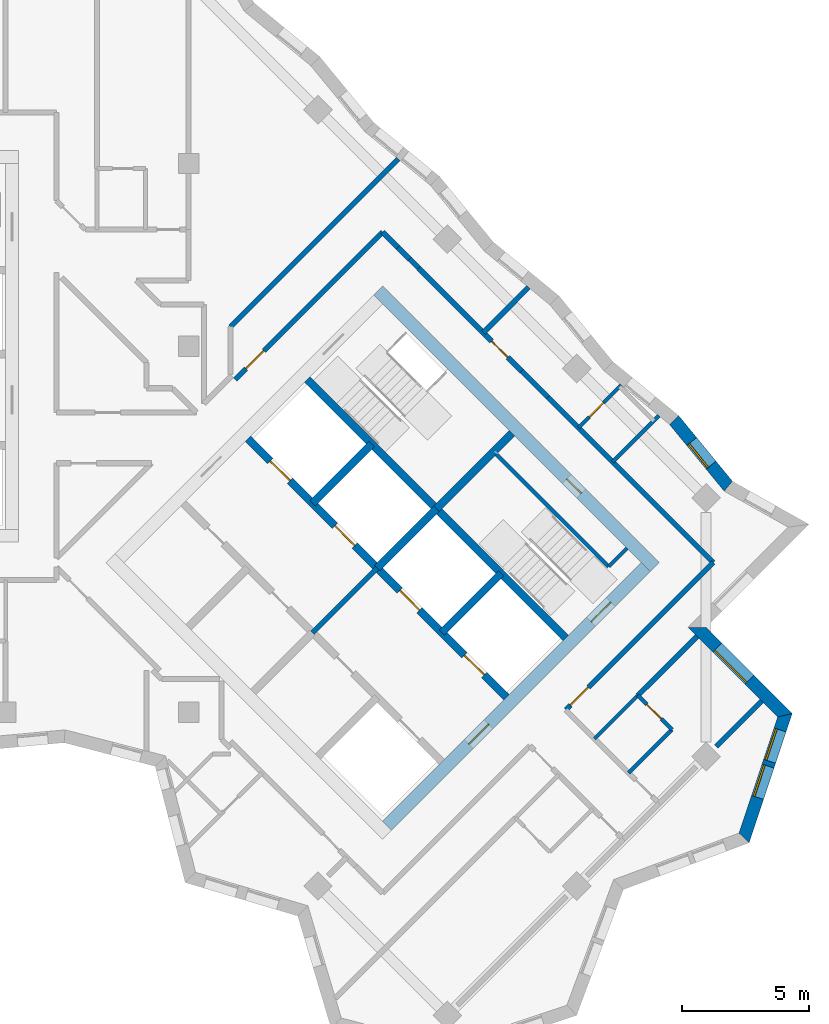
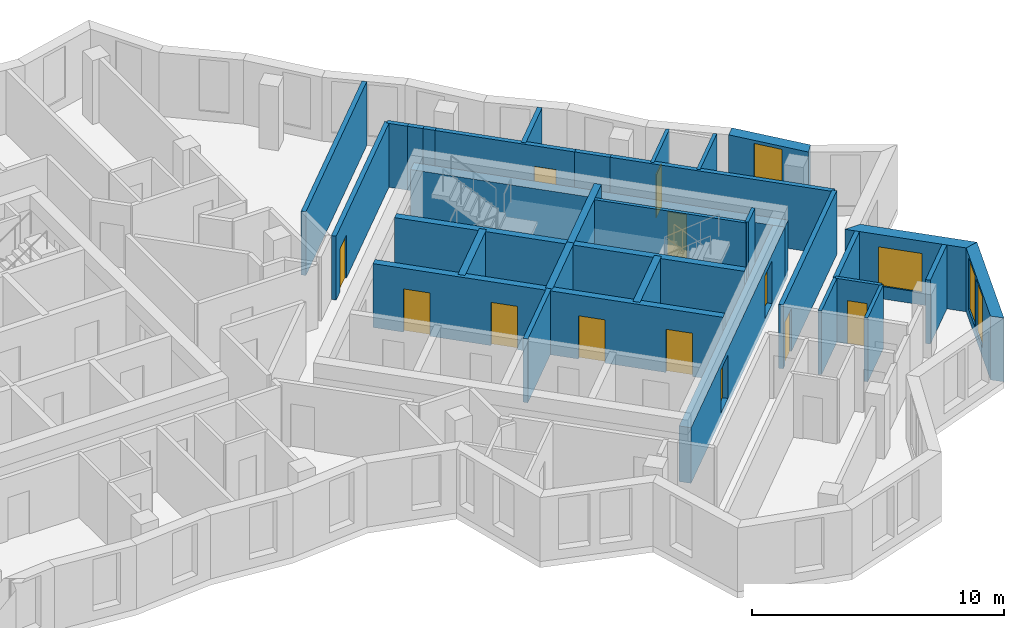
# One storey, part 8 of 11: 32 walls, 12 doors, 4 windows, 16 openings.
"""IFC4 building model written with IfcOpenShell, lengths in metres."""

import ifcopenshell
import ifcopenshell.guid

model = None  # the IFC model being written
_history = None  # IfcOwnerHistory: only IFC2X3 demands one
_inside = {}  # id of a spatial element -> (the spatial element, [elements in it])
_under = {}  # id of a project, library or spatial element -> (it, [spatial elements below it])
_declared = {}  # id of a project -> (the project, [libraries it declares])
_typed = {}  # id of a type object -> (the type object, [elements of that type])
_made_of = {}  # id of a material, layer set ... -> (it, [elements and type objects made of it])


def new_model(schema):
    """Start an empty IFC model of exactly this schema.

    Asked for "IFC4X3", IfcOpenShell would pick the latest addendum, in which some entities
    have other attributes; the version numbers below select the first issue.
    IFC2X3 requires an IfcOwnerHistory on every rooted entity: one is made here for all.
    """
    global model, _history
    if schema == "IFC4X3":
        model = ifcopenshell.file(schema_version=(4, 3, 0, 0))
    else:
        model = ifcopenshell.file(schema=schema)
    _inside.clear()
    _under.clear()
    _declared.clear()
    _typed.clear()
    _made_of.clear()
    _history = None
    if model.schema == "IFC2X3":
        org = make("IfcOrganization", Name="unknown")
        user = make(
            "IfcPersonAndOrganization",
            ThePerson=make("IfcPerson", FamilyName="unknown"),
            TheOrganization=org,
        )
        app = make(
            "IfcApplication",
            ApplicationDeveloper=org,
            Version="unknown",
            ApplicationFullName="unknown",
            ApplicationIdentifier="unknown",
        )
        _history = make(
            "IfcOwnerHistory",
            OwningUser=user,
            OwningApplication=app,
            ChangeAction="ADDED",
            CreationDate=0,
        )
    return model


def make(cls, **values):
    """One entity of the class cls with the attributes given. An attribute that is None is left unset."""
    return model.create_entity(
        cls, **{name: value for name, value in values.items() if value is not None}
    )


def rooted(cls, **values):
    """An entity with a GlobalId (a new one), such as an element, a storey or a relation."""
    return make(cls, GlobalId=ifcopenshell.guid.new(), OwnerHistory=_history, **values)


def si_unit(unit_type, name, prefix=None):
    """IfcSIUnit, for example si_unit("LENGTHUNIT", "METRE", prefix="MILLI")."""
    return make("IfcSIUnit", UnitType=unit_type, Prefix=prefix, Name=name)


def assignment(units):
    """IfcUnitAssignment: the units of a project."""
    return None if units is None else make("IfcUnitAssignment", Units=units)


def point(xyz):
    """IfcCartesianPoint."""
    return None if xyz is None else make("IfcCartesianPoint", Coordinates=xyz)


def direction(xyz):
    """IfcDirection."""
    return None if xyz is None else make("IfcDirection", DirectionRatios=xyz)


def frame(location, z_axis=None, x_axis=None):
    """IfcAxis2Placement3D, a coordinate frame: its origin and axes. An axis left out is left unset."""
    return make(
        "IfcAxis2Placement3D",
        Location=point(location),
        Axis=direction(z_axis),
        RefDirection=direction(x_axis),
    )


def frame_2d(location, x_axis=None):
    """IfcAxis2Placement2D, a coordinate frame in the plane: its origin and x axis."""
    return make(
        "IfcAxis2Placement2D", Location=point(location), RefDirection=direction(x_axis)
    )


def origin():
    """The frame at (0, 0, 0) with its axes left unset."""
    return frame((0.0, 0.0, 0.0))


def place(relative_to, where):
    """IfcLocalPlacement: puts the frame where relative to a parent placement (None: the world)."""
    return make(
        "IfcLocalPlacement", PlacementRelTo=relative_to, RelativePlacement=where
    )


def context(
    kind, dimensions, precision=None, world=None, true_north=None, identifier=None
):
    """IfcGeometricRepresentationContext, for example the 3D "Model" context."""
    return make(
        "IfcGeometricRepresentationContext",
        ContextIdentifier=identifier,
        ContextType=kind,
        CoordinateSpaceDimension=dimensions,
        Precision=precision,
        WorldCoordinateSystem=world,
        TrueNorth=true_north,
    )


def subcontext(parent, identifier, kind, view, scale=None):
    """IfcGeometricRepresentationSubContext, for example "Body" below "Model"."""
    return make(
        "IfcGeometricRepresentationSubContext",
        ContextIdentifier=identifier,
        ContextType=kind,
        ParentContext=parent,
        TargetScale=scale,
        TargetView=view,
    )


def project(units=None, contexts=None):
    """IfcProject with its units and contexts."""
    return rooted(
        "IfcProject",
        Name="project",
        RepresentationContexts=contexts,
        UnitsInContext=assignment(units),
    )


def spatial(cls, under=None, at=None, **own):
    """A site, building, storey or space (cls), placed at a placement, below another one or the project."""
    s = rooted(cls, ObjectPlacement=at, **own)
    if under is not None:
        _under.setdefault(under.id(), (under, []))[1].append(s)
    return s


def polyline(points):
    """IfcPolyline through the points."""
    return make("IfcPolyline", Points=[point(p) for p in points])


def profile(cls, at=None, kind="AREA", **sizes):
    """A parametric profile (cls). Its sizes go by their IFC names, for example OverallWidth=200.0."""
    return make(cls, ProfileType=kind, Position=at, **sizes)


def rectangle(**sizes):
    """IfcRectangleProfileDef."""
    return profile("IfcRectangleProfileDef", **sizes)


def outline(outer, holes=None, kind="AREA"):
    """IfcArbitraryClosedProfileDef: a profile drawn as a closed curve; with holes, ...WithVoids."""
    if holes is None:
        return make("IfcArbitraryClosedProfileDef", ProfileType=kind, OuterCurve=outer)
    return make(
        "IfcArbitraryProfileDefWithVoids",
        ProfileType=kind,
        OuterCurve=outer,
        InnerCurves=holes,
    )


def extrude(swept, where, along, depth):
    """IfcExtrudedAreaSolid: the profile swept, set in the frame where, extruded along a direction by depth."""
    return make(
        "IfcExtrudedAreaSolid",
        SweptArea=swept,
        Position=where,
        ExtrudedDirection=direction(along),
        Depth=depth,
    )


def shape(context_of_items, identifier, shape_type, items):
    """IfcShapeRepresentation: the items that make up one representation, for example the "Body"."""
    return make(
        "IfcShapeRepresentation",
        ContextOfItems=context_of_items,
        RepresentationIdentifier=identifier,
        RepresentationType=shape_type,
        Items=items,
    )


def material(Name=None, Category=None):
    """IfcMaterial."""
    return make("IfcMaterial", Name=Name, Category=Category)


def layer(
    of_material, thickness, ventilated=None, Name=None, Category=None, Priority=None
):
    """IfcMaterialLayer: one layer of a wall or slab, of a material (None: an air gap)."""
    return make(
        "IfcMaterialLayer",
        Material=of_material,
        LayerThickness=thickness,
        IsVentilated=ventilated,
        Name=Name,
        Category=Category,
        Priority=Priority,
    )


def layer_set(layers, Name=None):
    """IfcMaterialLayerSet."""
    return make("IfcMaterialLayerSet", MaterialLayers=layers, LayerSetName=Name)


def made_of(thing, what):
    """Note that an element or type object is made of a material, layer set ...; save() writes the relation."""
    if what is not None:
        _made_of.setdefault(what.id(), (what, []))[1].append(thing)
    return thing


def type_object(cls, material=None, **own):
    """A type object (cls), such as IfcWallType, which elements share."""
    return made_of(rooted(cls, **own), material)


def element(
    cls,
    number,
    at=None,
    inside=None,
    cuts=None,
    type_object=None,
    material=None,
    context=None,
    identifier="Body",
    shape_type=None,
    held_by="IfcProductDefinitionShape",
    body=None,
    shapes=None,
    **own,
):
    """One element of the class cls, such as IfcWall. Its Tag is "e" and its number.

    at: its placement. inside: the storey or other place that contains it. cuts: it is an
    opening in that element (IfcRelVoidsElement). A single representation is given by context,
    identifier, shape_type and body (its items); several are given by shapes. held_by: the class
    of the entity that holds the representations. save() writes the other relations.
    """
    e = rooted(cls, Tag="e%d" % number, ObjectPlacement=at, **own)
    if body is not None:
        shapes = [shape(context, identifier, shape_type, body)]
    if shapes is not None:
        e.Representation = make(held_by, Representations=shapes)
    if inside is not None:
        _inside.setdefault(inside.id(), (inside, []))[1].append(e)
    if cuts is not None:
        rooted(
            "IfcRelVoidsElement", RelatingBuildingElement=cuts, RelatedOpeningElement=e
        )
    if type_object is not None:
        _typed.setdefault(type_object.id(), (type_object, []))[1].append(e)
    return made_of(e, material)


def fill(opening, filler):
    """IfcRelFillsElement: the door or window that sits in an opening."""
    return rooted(
        "IfcRelFillsElement",
        RelatingOpeningElement=opening,
        RelatedBuildingElement=filler,
    )


def aggregate(whole, parts):
    """IfcRelAggregates: a whole, such as a stair, and the parts it consists of."""
    return rooted("IfcRelAggregates", RelatingObject=whole, RelatedObjects=parts)


def save(model, path):
    """Write the relations noted so far, then the file.

    IfcRelAggregates (storeys below a building ...), IfcRelContainedInSpatialStructure (elements
    in a storey), IfcRelDefinesByType, IfcRelAssociatesMaterial and IfcRelDeclares: one each for
    every whole, place, type object, material and project.
    """
    for whole, parts in _under.values():
        aggregate(whole, parts)
    for where, things in _inside.values():
        rooted(
            "IfcRelContainedInSpatialStructure",
            RelatedElements=things,
            RelatingStructure=where,
        )
    for kind, things in _typed.values():
        rooted("IfcRelDefinesByType", RelatedObjects=things, RelatingType=kind)
    for what, things in _made_of.values():
        rooted("IfcRelAssociatesMaterial", RelatedObjects=things, RelatingMaterial=what)
    for by, libraries in _declared.values():
        rooted("IfcRelDeclares", RelatingContext=by, RelatedDefinitions=libraries)
    model.write(path)


model = new_model("IFC4")

# Units and contexts
model_context = context("Model", 3, precision=1e-05, world=origin(), true_north=direction((0.0, 1.0)))
body_context = subcontext(model_context, "Body", "Model", "MODEL_VIEW")
ifc_project = project(units=[si_unit("LENGTHUNIT", "METRE"), si_unit("AREAUNIT", "SQUARE_METRE"), si_unit("VOLUMEUNIT", "CUBIC_METRE"), si_unit("PLANEANGLEUNIT", "RADIAN"), si_unit("MASSUNIT", "GRAM", prefix="KILO")], contexts=[model_context])

# Site, building, storey
site_placement = place(None, origin())
site = spatial("IfcSite", under=ifc_project, at=site_placement, CompositionType="ELEMENT")
building_placement = place(site_placement, origin())
building = spatial("IfcBuilding", under=site, at=building_placement, Name="Windrow Commons", CompositionType="ELEMENT")
storey_placement = place(building_placement, frame((0.0, 0.0, 193.0)))
storey = spatial("IfcBuildingStorey", under=building, at=storey_placement, Name="L52", CompositionType="ELEMENT", Elevation=193.0)

# Wall, openings, windows
ifc_material_1 = material(Name="Brick masonry, red clay brick", Category="masonry")
ifc_layer_1 = layer(ifc_material_1, 0.5)
ifc_layer_set_1 = layer_set([ifc_layer_1], Name="Brick facade wall 500")
wall_type_1 = type_object("IfcWallType", Name="Brick facade wall 500", PredefinedType="SOLIDWALL", material=ifc_layer_set_1)
wall_1_placement = place(storey_placement, frame((101.0624, 38.2515, 0.0), z_axis=(0.0, 0.0, 1.0), x_axis=(0.3162395484, 0.9486793705, 0.0)))
wall_1 = element("IfcWall", 1, at=wall_1_placement, inside=storey, type_object=wall_type_1, Name="Brick facade wall L52 4", PredefinedType="SOLIDWALL", context=body_context, shape_type="SweptSolid", body=[
    extrude(outline(polyline([(-0.1197, -0.25), (5.2468, -0.25), (4.9378, 0.25), (0.1197, 0.25), (-0.1197, -0.25)])), origin(), (0.0, 0.0, 1.0), 3.1),
])
opening_1_placement = place(wall_1_placement, frame((1.6796, 0.0, 0.45)))
opening_1 = element("IfcOpeningElement", 2, at=opening_1_placement, cuts=wall_1, Name="Opening W1Q", PredefinedType="OPENING", context=body_context, shape_type="SweptSolid", body=[
    extrude(rectangle(XDim=1.3, YDim=2.5, at=frame_2d((0.65, 1.25))), frame((0.0, 0.26, 0.0), z_axis=(0.0, -1.0, 0.0), x_axis=(1.0, 0.0, 0.0)), (0.0, 0.0, 1.0), 0.52),
])
opening_2_placement = place(wall_1_placement, frame((3.1796, 0.0, 0.45)))
opening_2 = element("IfcOpeningElement", 3, at=opening_2_placement, cuts=wall_1, Name="Opening W1Q", PredefinedType="OPENING", context=body_context, shape_type="SweptSolid", body=[
    extrude(rectangle(XDim=1.3, YDim=2.5, at=frame_2d((0.65, 1.25))), frame((0.0, 0.26, 0.0), z_axis=(0.0, -1.0, 0.0), x_axis=(1.0, 0.0, 0.0)), (0.0, 0.0, 1.0), 0.52),
])
ifc_material_2 = material(Name="Clear float glass in anodised aluminium frame", Category="aluminium")
window_type_1 = type_object("IfcWindowType", Name="Window W1Q pair 1300x2500", PartitioningType="SINGLE_PANEL", PredefinedType="WINDOW", material=ifc_material_2)
window_1_placement = place(opening_1_placement, origin())
window_1 = element("IfcWindow", 4, at=window_1_placement, inside=storey, type_object=window_type_1, Name="Window L52 4.1A", OverallHeight=2.5, OverallWidth=1.3, PartitioningType="SINGLE_PANEL", PredefinedType="WINDOW", context=body_context, shape_type="SweptSolid", body=[
    extrude(rectangle(XDim=1.3, YDim=2.5, at=frame_2d((0.65, 1.25))), frame((0.0, 0.18, 0.0), z_axis=(0.0, -1.0, 0.0), x_axis=(1.0, 0.0, 0.0)), (0.0, 0.0, 1.0), 0.06),
])
fill(opening_1, window_1)
window_2_placement = place(opening_2_placement, origin())
window_2 = element("IfcWindow", 5, at=window_2_placement, inside=storey, type_object=window_type_1, Name="Window L52 4.1B", OverallHeight=2.5, OverallWidth=1.3, PartitioningType="SINGLE_PANEL", PredefinedType="WINDOW", context=body_context, shape_type="SweptSolid", body=[
    extrude(rectangle(XDim=1.3, YDim=2.5, at=frame_2d((0.65, 1.25))), frame((0.0, 0.18, 0.0), z_axis=(0.0, -1.0, 0.0), x_axis=(1.0, 0.0, 0.0)), (0.0, 0.0, 1.0), 0.06),
])
fill(opening_2, window_2)

# Wall, opening, window
wall_2_placement = place(storey_placement, frame((102.6728, 43.0825, 0.0), z_axis=(0.0, 0.0, 1.0), x_axis=(-0.7071067812, 0.7071067812, 0.0)))
wall_2 = element("IfcWall", 6, at=wall_2_placement, inside=storey, type_object=wall_type_1, Name="Brick facade wall L52 5", PredefinedType="SOLIDWALL", context=body_context, shape_type="SweptSolid", body=[
    extrude(outline(polyline([(-0.1545, -0.25), (4.6455, -0.25), (5.1455, 0.25), (0.1545, 0.25), (-0.1545, -0.25)])), origin(), (0.0, 0.0, 1.0), 3.1),
])
opening_3_placement = place(wall_2_placement, frame((1.9705, 0.0, 0.6)))
opening_3 = element("IfcOpeningElement", 7, at=opening_3_placement, cuts=wall_2, Name="Opening W1L", PredefinedType="OPENING", context=body_context, shape_type="SweptSolid", body=[
    extrude(rectangle(XDim=1.8, YDim=1.9, at=frame_2d((0.9, 0.95))), frame((0.0, 0.26, 0.0), z_axis=(0.0, -1.0, 0.0), x_axis=(1.0, 0.0, 0.0)), (0.0, 0.0, 1.0), 0.52),
])
ifc_material_3 = material(Name="Clear float glass in anodised aluminium frame", Category="aluminium")
window_type_2 = type_object("IfcWindowType", Name="Window W1L bedroom 1800x1900", PartitioningType="SINGLE_PANEL", PredefinedType="WINDOW", material=ifc_material_3)
window_3_placement = place(opening_3_placement, origin())
window_3 = element("IfcWindow", 8, at=window_3_placement, inside=storey, type_object=window_type_2, Name="Window L52 5.1", OverallHeight=1.9, OverallWidth=1.8, PartitioningType="SINGLE_PANEL", PredefinedType="WINDOW", context=body_context, shape_type="SweptSolid", body=[
    extrude(rectangle(XDim=1.8, YDim=1.9, at=frame_2d((0.9, 0.95))), frame((0.0, 0.18, 0.0), z_axis=(0.0, -1.0, 0.0), x_axis=(1.0, 0.0, 0.0)), (0.0, 0.0, 1.0), 0.06),
])
fill(opening_3, window_3)

wall_3_placement = place(storey_placement, frame((100.4418, 52.0969, 0.0), z_axis=(0.0, 0.0, 1.0), x_axis=(-0.6338845577, 0.7734276744, 0.0)))
wall_3 = element("IfcWall", 9, at=wall_3_placement, inside=storey, type_object=wall_type_1, Name="Brick facade wall L52 8", PredefinedType="SOLIDWALL", context=body_context, shape_type="SweptSolid", body=[
    extrude(outline(polyline([(0.047, -0.25), (3.3915, -0.25), (3.3419, 0.25), (-0.047, 0.25), (0.047, -0.25)])), origin(), (0.0, 0.0, 1.0), 3.1),
])
opening_4_placement = place(wall_3_placement, frame((1.071, 0.0, 0.45)))
opening_4 = element("IfcOpeningElement", 10, at=opening_4_placement, cuts=wall_3, Name="Opening W7E", PredefinedType="OPENING", context=body_context, shape_type="SweptSolid", body=[
    extrude(rectangle(XDim=1.2, YDim=2.5, at=frame_2d((0.6, 1.25))), frame((0.0, 0.26, 0.0), z_axis=(0.0, -1.0, 0.0), x_axis=(1.0, 0.0, 0.0)), (0.0, 0.0, 1.0), 0.52),
])
ifc_material_4 = material(Name="Clear float glass in anodised aluminium frame", Category="aluminium")
window_type_3 = type_object("IfcWindowType", Name="Window W7 notch 1200x2500", PartitioningType="SINGLE_PANEL", PredefinedType="WINDOW", material=ifc_material_4)
window_4_placement = place(opening_4_placement, origin())
window_4 = element("IfcWindow", 11, at=window_4_placement, inside=storey, type_object=window_type_3, Name="Window L52 8.1", OverallHeight=2.5, OverallWidth=1.2, PartitioningType="SINGLE_PANEL", PredefinedType="WINDOW", context=body_context, shape_type="SweptSolid", body=[
    extrude(rectangle(XDim=1.2, YDim=2.5, at=frame_2d((0.6, 1.25))), frame((0.0, 0.18, 0.0), z_axis=(0.0, -1.0, 0.0), x_axis=(1.0, 0.0, 0.0)), (0.0, 0.0, 1.0), 0.06),
])
fill(opening_4, window_4)

# Walls
ifc_material_5 = material(Name="Blockwork partition", Category="masonry")
ifc_layer_2 = layer(ifc_material_5, 0.2)
ifc_layer_set_2 = layer_set([ifc_layer_2], Name="Fire lobby partition 200")
wall_type_2 = type_object("IfcWallType", Name="Fire lobby partition 200", PredefinedType="PARTITIONING", material=ifc_layer_set_2)
wall_4_placement = place(storey_placement, frame((84.079, 46.332, 0.0), z_axis=(0.0, 0.0, 1.0), x_axis=(0.7071067812, 0.7071067812, 0.0)))
element("IfcWall", 12, at=wall_4_placement, inside=storey, type_object=wall_type_2, Name="W-core-lobby-B-L52", PredefinedType="PARTITIONING", context=body_context, shape_type="SweptSolid", body=[
    extrude(rectangle(XDim=3.6, YDim=0.2, at=frame_2d((1.8, 0.0))), origin(), (0.0, 0.0, 1.0), 3.1),
])
ifc_material_6 = material(Name="Blockwork partition", Category="masonry")
ifc_layer_3 = layer(ifc_material_6, 0.2)
ifc_layer_set_3 = layer_set([ifc_layer_3], Name="IW-CORRIDOR-200")
wall_type_3 = type_object("IfcWallType", Name="IW-CORRIDOR-200", PredefinedType="PARTITIONING", material=ifc_layer_set_3)
wall_5_placement = place(storey_placement, frame((93.3455, 55.5995, 0.0), z_axis=(0.0, 0.0, 1.0), x_axis=(0.7071067812, -0.7071067812, 0.0)))
element("IfcWall", 13, at=wall_5_placement, inside=storey, type_object=wall_type_3, Name="W-L52-W007", PredefinedType="PARTITIONING", context=body_context, shape_type="SweptSolid", body=[
    extrude(rectangle(XDim=9.2009, YDim=0.2, at=frame_2d((4.6005, 0.0))), origin(), (0.0, 0.0, 1.0), 3.1),
])

# Wall, opening, door
wall_6_placement = place(storey_placement, frame((94.0491, 43.2929, 0.0), z_axis=(0.0, 0.0, 1.0), x_axis=(0.7071067812, 0.7071067812, 0.0)))
wall_6 = element("IfcWall", 14, at=wall_6_placement, inside=storey, type_object=wall_type_3, Name="W-L52-W008", PredefinedType="PARTITIONING", context=body_context, shape_type="SweptSolid", body=[
    extrude(rectangle(XDim=8.1996, YDim=0.2, at=frame_2d((4.0998, 0.0))), origin(), (0.0, 0.0, 1.0), 3.1),
])
opening_5_placement = place(wall_6_placement, frame((0.2523, 0.0, 0.0)))
opening_5 = element("IfcOpeningElement", 15, at=opening_5_placement, cuts=wall_6, Name="Opening D310F", PredefinedType="OPENING", context=body_context, shape_type="SweptSolid", body=[
    extrude(rectangle(XDim=1.0, YDim=2.1, at=frame_2d((0.5, 1.05))), frame((0.0, 0.11, 0.0), z_axis=(0.0, -1.0, 0.0), x_axis=(1.0, 0.0, 0.0)), (0.0, 0.0, 1.0), 0.22),
])
ifc_material_7 = material(Name="Timber door leaf", Category="wood")
door_type_1 = type_object("IfcDoorType", Name="DT-AMENITY-1000", OperationType="SINGLE_SWING_LEFT", PredefinedType="DOOR", material=ifc_material_7)
door_1_placement = place(opening_5_placement, origin())
door_1 = element("IfcDoor", 16, at=door_1_placement, inside=storey, type_object=door_type_1, Name="D-L52-D033", OperationType="SINGLE_SWING_RIGHT", OverallHeight=2.1, OverallWidth=1.0, PredefinedType="DOOR", context=body_context, shape_type="SweptSolid", body=[
    extrude(rectangle(XDim=1.0, YDim=2.1, at=frame_2d((0.5, 1.05))), frame((0.0, 0.025, 0.0), z_axis=(0.0, -1.0, 0.0), x_axis=(1.0, 0.0, 0.0)), (0.0, 0.0, 1.0), 0.05),
])
fill(opening_5, door_1)

wall_7_placement = place(storey_placement, frame((81.0373, 56.3027, 0.0), z_axis=(0.0, 0.0, 1.0), x_axis=(0.7071067812, 0.7071067812, 0.0)))
wall_7 = element("IfcWall", 17, at=wall_7_placement, inside=storey, type_object=wall_type_3, Name="W-L52-W010", PredefinedType="PARTITIONING", context=body_context, shape_type="SweptSolid", body=[
    extrude(rectangle(XDim=8.1996, YDim=0.2, at=frame_2d((4.0998, 0.0))), origin(), (0.0, 0.0, 1.0), 3.1),
])
opening_6_placement = place(wall_7_placement, frame((0.5924, 0.0, 0.0)))
opening_6 = element("IfcOpeningElement", 18, at=opening_6_placement, cuts=wall_7, Name="Opening D310F", PredefinedType="OPENING", context=body_context, shape_type="SweptSolid", body=[
    extrude(rectangle(XDim=1.0, YDim=2.1, at=frame_2d((0.5, 1.05))), frame((0.0, 0.11, 0.0), z_axis=(0.0, -1.0, 0.0), x_axis=(1.0, 0.0, 0.0)), (0.0, 0.0, 1.0), 0.22),
])
door_2_placement = place(opening_6_placement, origin())
door_2 = element("IfcDoor", 19, at=door_2_placement, inside=storey, type_object=door_type_1, Name="D-L52-D032", OperationType="SINGLE_SWING_RIGHT", OverallHeight=2.1, OverallWidth=1.0, PredefinedType="DOOR", context=body_context, shape_type="SweptSolid", body=[
    extrude(rectangle(XDim=1.0, YDim=2.1, at=frame_2d((0.5, 1.05))), frame((0.0, 0.025, 0.0), z_axis=(0.0, -1.0, 0.0), x_axis=(1.0, 0.0, 0.0)), (0.0, 0.0, 1.0), 0.05),
])
fill(opening_6, door_2)

wall_8_placement = place(storey_placement, frame((88.2474, 60.6834, 0.0), z_axis=(0.0, 0.0, 1.0), x_axis=(0.7071067812, -0.7071067812, 0.0)))
wall_8 = element("IfcWall", 20, at=wall_8_placement, inside=storey, type_object=wall_type_3, Name="W-L52-W029", PredefinedType="PARTITIONING", context=body_context, shape_type="SweptSolid", body=[
    extrude(rectangle(XDim=5.7417, YDim=0.2, at=frame_2d((2.8708, 0.0))), origin(), (0.0, 0.0, 1.0), 3.1),
])
opening_7_placement = place(wall_8_placement, frame((4.0693, 0.0, 0.0)))
opening_7 = element("IfcOpeningElement", 21, at=opening_7_placement, cuts=wall_8, Name="Opening D109S", PredefinedType="OPENING", context=body_context, shape_type="SweptSolid", body=[
    extrude(rectangle(XDim=0.9, YDim=2.1, at=frame_2d((0.45, 1.05))), frame((0.0, 0.11, 0.0), z_axis=(0.0, -1.0, 0.0), x_axis=(1.0, 0.0, 0.0)), (0.0, 0.0, 1.0), 0.22),
])
ifc_material_8 = material(Name="Timber door leaf", Category="wood")
door_type_2 = type_object("IfcDoorType", Name="DT-BEDROOM-900", OperationType="SINGLE_SWING_LEFT", PredefinedType="DOOR", material=ifc_material_8)
door_3_placement = place(opening_7_placement, origin())
door_3 = element("IfcDoor", 22, at=door_3_placement, inside=storey, type_object=door_type_2, Name="D-L52-D034", OperationType="SINGLE_SWING_RIGHT", OverallHeight=2.1, OverallWidth=0.9, PredefinedType="DOOR", context=body_context, shape_type="SweptSolid", body=[
    extrude(rectangle(XDim=0.9, YDim=2.1, at=frame_2d((0.45, 1.05))), frame((0.0, 0.025, 0.0), z_axis=(0.0, -1.0, 0.0), x_axis=(1.0, 0.0, 0.0)), (0.0, 0.0, 1.0), 0.05),
])
fill(opening_7, door_3)

# Walls
wall_9_placement = place(storey_placement, frame((92.3106, 56.6266, 0.0), z_axis=(0.0, 0.0, 1.0), x_axis=(0.7077922938, -0.7064206033, 0.0)))
element("IfcWall", 23, at=wall_9_placement, inside=storey, type_object=wall_type_3, Name="W-L52-W118", PredefinedType="PARTITIONING", context=body_context, shape_type="SweptSolid", body=[
    extrude(rectangle(XDim=1.4581, YDim=0.2, at=frame_2d((0.729, 0.0))), origin(), (0.0, 0.0, 1.0), 3.1),
])
wall_10_placement = place(storey_placement, frame((86.8353, 62.0973, 0.0), z_axis=(0.0, 0.0, 1.0), x_axis=(0.7059370453, -0.7082745852, 0.0)))
element("IfcWall", 24, at=wall_10_placement, inside=storey, type_object=wall_type_3, Name="W-L52-W126", PredefinedType="PARTITIONING", context=body_context, shape_type="SweptSolid", body=[
    extrude(rectangle(XDim=0.8556, YDim=0.2, at=frame_2d((0.4278, 0.0))), origin(), (0.0, 0.0, 1.0), 3.1),
])
wall_11_placement = place(storey_placement, frame((87.4398, 61.4918, 0.0), z_axis=(0.0, 0.0, 1.0), x_axis=(0.7086591505, -0.7055509963, 0.0)))
element("IfcWall", 25, at=wall_11_placement, inside=storey, type_object=wall_type_3, Name="W-L52-W128", PredefinedType="PARTITIONING", context=body_context, shape_type="SweptSolid", body=[
    extrude(rectangle(XDim=0.6435, YDim=0.2, at=frame_2d((0.3217, 0.0))), origin(), (0.0, 0.0, 1.0), 3.1),
])
wall_12_placement = place(storey_placement, frame((87.8991, 61.0411, 0.0), z_axis=(0.0, 0.0, 1.0), x_axis=(0.7051008166, -0.7091070712, 0.0)))
element("IfcWall", 26, at=wall_12_placement, inside=storey, type_object=wall_type_3, Name="W-L52-W134", PredefinedType="PARTITIONING", context=body_context, shape_type="SweptSolid", body=[
    extrude(rectangle(XDim=0.4992, YDim=0.2, at=frame_2d((0.2496, 0.0))), origin(), (0.0, 0.0, 1.0), 3.1),
])
ifc_material_9 = material(Name="Blockwork partition", Category="masonry")
ifc_layer_4 = layer(ifc_material_9, 0.15)
ifc_layer_set_4 = layer_set([ifc_layer_4], Name="IW-ENSUITE-150")
wall_type_4 = type_object("IfcWallType", Name="IW-ENSUITE-150", PredefinedType="PARTITIONING", material=ifc_layer_set_4)
wall_13_placement = place(storey_placement, frame((95.8873, 53.0507, 0.0), z_axis=(0.0, 0.0, 1.0), x_axis=(0.707087349, 0.7071262128, 0.0)))
element("IfcWall", 27, at=wall_13_placement, inside=storey, type_object=wall_type_4, Name="W-L52-W059", PredefinedType="PARTITIONING", context=body_context, shape_type="SweptSolid", body=[
    extrude(rectangle(XDim=2.5731, YDim=0.15, at=frame_2d((1.2866, 0.0))), origin(), (0.0, 0.0, 1.0), 3.1),
])
for number, where, z_axis, x_axis, name in (
    (28, (96.5229, 40.8171, 0.0), (0.0, 0.0, 1.0), (0.7071067812, 0.7071067812, 0.0), "W-L52-W062"),
    (29, (95.1794, 42.1606, 0.0), (0.0, 0.0, 1.0), (0.7071067812, 0.7071067812, 0.0), "W-L52-W063"),
):
    element("IfcWall", number, at=place(storey_placement, frame(where, z_axis=z_axis, x_axis=x_axis)), inside=storey, type_object=wall_type_4, Name=name, PredefinedType="PARTITIONING", context=body_context, shape_type="SweptSolid", body=[
        extrude(rectangle(XDim=2.4013, YDim=0.15, at=frame_2d((1.2006, 0.0))), origin(), (0.0, 0.0, 1.0), 3.1),
    ])

# Wall, opening, door
wall_14_placement = place(storey_placement, frame((94.5438, 54.3942, 0.0), z_axis=(0.0, 0.0, 1.0), x_axis=(0.7071067812, 0.7071067812, 0.0)))
wall_14 = element("IfcWall", 30, at=wall_14_placement, inside=storey, type_object=wall_type_4, Name="W-L52-W083", PredefinedType="PARTITIONING", context=body_context, shape_type="SweptSolid", body=[
    extrude(rectangle(XDim=2.3846, YDim=0.15, at=frame_2d((1.1923, 0.0))), origin(), (0.0, 0.0, 1.0), 3.1),
])
opening_8_placement = place(wall_14_placement, frame((0.5941, 0.0, 0.0)))
opening_8 = element("IfcOpeningElement", 31, at=opening_8_placement, cuts=wall_14, Name="Opening D208N", PredefinedType="OPENING", context=body_context, shape_type="SweptSolid", body=[
    extrude(rectangle(XDim=0.8, YDim=2.1, at=frame_2d((0.4, 1.05))), frame((0.0, 0.085, 0.0), z_axis=(0.0, -1.0, 0.0), x_axis=(1.0, 0.0, 0.0)), (0.0, 0.0, 1.0), 0.17),
])
ifc_material_10 = material(Name="Timber door leaf", Category="wood")
door_type_3 = type_object("IfcDoorType", Name="DT-ENSUITE-800", OperationType="SINGLE_SWING_LEFT", PredefinedType="DOOR", material=ifc_material_10)
door_4_placement = place(opening_8_placement, origin())
door_4 = element("IfcDoor", 32, at=door_4_placement, inside=storey, type_object=door_type_3, Name="D-L52-D035", OperationType="SINGLE_SWING_RIGHT", OverallHeight=2.1, OverallWidth=0.8, PredefinedType="DOOR", context=body_context, shape_type="SweptSolid", body=[
    extrude(rectangle(XDim=0.8, YDim=2.1, at=frame_2d((0.4, 1.05))), frame((0.0, 0.025, 0.0), z_axis=(0.0, -1.0, 0.0), x_axis=(1.0, 0.0, 0.0)), (0.0, 0.0, 1.0), 0.05),
])
fill(opening_8, door_4)

wall_15_placement = place(storey_placement, frame((96.8813, 43.8613, 0.0), z_axis=(0.0, 0.0, 1.0), x_axis=(0.7071067812, -0.7071067812, 0.0)))
wall_15 = element("IfcWall", 33, at=wall_15_placement, inside=storey, type_object=wall_type_4, Name="W-L52-W103", PredefinedType="PARTITIONING", context=body_context, shape_type="SweptSolid", body=[
    extrude(rectangle(XDim=1.9007, YDim=0.15, at=frame_2d((0.9504, 0.0))), origin(), (0.0, 0.0, 1.0), 3.1),
])
opening_9_placement = place(wall_15_placement, frame((0.5053, 0.0, 0.0)))
opening_9 = element("IfcOpeningElement", 34, at=opening_9_placement, cuts=wall_15, Name="Opening D208N", PredefinedType="OPENING", context=body_context, shape_type="SweptSolid", body=[
    extrude(rectangle(XDim=0.8, YDim=2.1, at=frame_2d((0.4, 1.05))), frame((0.0, 0.085, 0.0), z_axis=(0.0, -1.0, 0.0), x_axis=(1.0, 0.0, 0.0)), (0.0, 0.0, 1.0), 0.17),
])
door_5_placement = place(opening_9_placement, origin())
door_5 = element("IfcDoor", 35, at=door_5_placement, inside=storey, type_object=door_type_3, Name="D-L52-D042", OperationType="SINGLE_SWING_RIGHT", OverallHeight=2.1, OverallWidth=0.8, PredefinedType="DOOR", context=body_context, shape_type="SweptSolid", body=[
    extrude(rectangle(XDim=0.8, YDim=2.1, at=frame_2d((0.4, 1.05))), frame((0.0, 0.025, 0.0), z_axis=(0.0, -1.0, 0.0), x_axis=(1.0, 0.0, 0.0)), (0.0, 0.0, 1.0), 0.05),
])
fill(opening_9, door_5)

# Walls
ifc_material_11 = material(Name="Blockwork partition", Category="masonry")
ifc_layer_5 = layer(ifc_material_11, 0.2)
ifc_layer_set_5 = layer_set([ifc_layer_5], Name="IW-PARTY-200")
wall_type_5 = type_object("IfcWallType", Name="IW-PARTY-200", PredefinedType="PARTITIONING", material=ifc_layer_set_5)
wall_16_placement = place(storey_placement, frame((80.8489, 58.3771, 0.0), z_axis=(0.0, 0.0, 1.0), x_axis=(0.7071067812, 0.7071067812, 0.0)))
element("IfcWall", 36, at=wall_16_placement, inside=storey, type_object=wall_type_5, Name="W-L52-W006", PredefinedType="PARTITIONING", context=body_context, shape_type="SweptSolid", body=[
    extrude(rectangle(XDim=9.3327, YDim=0.2, at=frame_2d((4.6664, 0.0))), origin(), (0.0, 0.0, 1.0), 3.1),
])
wall_17_placement = place(storey_placement, frame((96.8801, 43.8559, 0.0), z_axis=(0.0, 0.0, 1.0), x_axis=(0.7074098182, 0.7068036142, 0.0)))
element("IfcWall", 37, at=wall_17_placement, inside=storey, type_object=wall_type_5, Name="W-L52-W053", PredefinedType="PARTITIONING", context=body_context, shape_type="SweptSolid", body=[
    extrude(rectangle(XDim=3.2992, YDim=0.2, at=frame_2d((1.6496, 0.0))), origin(), (0.0, 0.0, 1.0), 3.1),
])
wall_18_placement = place(storey_placement, frame((99.964, 41.854, 0.0), z_axis=(0.0, 0.0, 1.0), x_axis=(0.7071265121, 0.7070870497, 0.0)))
element("IfcWall", 38, at=wall_18_placement, inside=storey, type_object=wall_type_5, Name="W-L52-W060", PredefinedType="PARTITIONING", context=body_context, shape_type="SweptSolid", body=[
    extrude(rectangle(XDim=2.5341, YDim=0.2, at=frame_2d((1.2671, 0.0))), origin(), (0.0, 0.0, 1.0), 3.1),
])
wall_19_placement = place(storey_placement, frame((90.7972, 58.1388, 0.0), z_axis=(0.0, 0.0, 1.0), x_axis=(0.7066702589, 0.7075430342, 0.0)))
element("IfcWall", 39, at=wall_19_placement, inside=storey, type_object=wall_type_5, Name="W-L52-W061", PredefinedType="PARTITIONING", context=body_context, shape_type="SweptSolid", body=[
    extrude(rectangle(XDim=2.5207, YDim=0.2, at=frame_2d((1.2604, 0.0))), origin(), (0.0, 0.0, 1.0), 3.1),
])

# Wall, opening, door
ifc_material_12 = material(Name="Concrete C40/50", Category="concrete")
ifc_layer_6 = layer(ifc_material_12, 0.5)
ifc_layer_set_6 = layer_set([ifc_layer_6], Name="RC CORE WALL 500 C40/50")
wall_type_6 = type_object("IfcWallType", Name="RC CORE WALL 500 C40/50", PredefinedType="SHEAR", material=ifc_layer_set_6)
wall_20_placement = place(storey_placement, frame((86.66, 59.8024, -0.3), z_axis=(0.0, 0.0, 1.0), x_axis=(0.7071067812, -0.7071067812, 0.0)))
wall_20 = element("IfcWall", 40, at=wall_20_placement, inside=storey, type_object=wall_type_6, Name="Core B wall outer-N", PredefinedType="SHEAR", context=body_context, shape_type="SweptSolid", body=[
    extrude(rectangle(XDim=15.3999, YDim=0.5, at=frame_2d((7.7, 0.0))), origin(), (0.0, 0.0, 1.0), 2.7),
])
opening_10_placement = place(wall_20_placement, frame((10.5, 0.0, 0.3)))
opening_10 = element("IfcOpeningElement", 41, at=opening_10_placement, cuts=wall_20, Name="Opening D9", PredefinedType="OPENING", context=body_context, shape_type="SweptSolid", body=[
    extrude(rectangle(XDim=0.8, YDim=2.1, at=frame_2d((0.4, 1.05))), frame((0.0, 0.26, 0.0), z_axis=(0.0, -1.0, 0.0), x_axis=(1.0, 0.0, 0.0)), (0.0, 0.0, 1.0), 0.52),
])
ifc_material_13 = material(Name="Steel fire door leaf", Category="steel")
door_type_4 = type_object("IfcDoorType", Name="Riser access door 800", OperationType="SINGLE_SWING_LEFT", PredefinedType="DOOR", material=ifc_material_13)
door_6_placement = place(opening_10_placement, origin())
door_6 = element("IfcDoor", 42, at=door_6_placement, inside=storey, type_object=door_type_4, Name="Riser access door", OperationType="SINGLE_SWING_RIGHT", OverallHeight=2.1, OverallWidth=0.8, PredefinedType="DOOR", context=body_context, shape_type="SweptSolid", body=[
    extrude(rectangle(XDim=0.8, YDim=2.1, at=frame_2d((0.4, 1.05))), frame((0.0, 0.025, 0.0), z_axis=(0.0, -1.0, 0.0), x_axis=(1.0, 0.0, 0.0)), (0.0, 0.0, 1.0), 0.05),
])
fill(opening_10, door_6)

# Wall, openings, doors
wall_21_placement = place(storey_placement, frame((87.0135, 38.7306, -0.3), z_axis=(0.0, 0.0, 1.0), x_axis=(0.7071067812, 0.7071067812, 0.0)))
wall_21 = element("IfcWall", 43, at=wall_21_placement, inside=storey, type_object=wall_type_6, Name="Core B wall outer-E", PredefinedType="SHEAR", context=body_context, shape_type="SweptSolid", body=[
    extrude(rectangle(XDim=14.4001, YDim=0.5, at=frame_2d((7.2001, 0.0))), origin(), (0.0, 0.0, 1.0), 2.7),
])
opening_11_placement = place(wall_21_placement, frame((4.55, 0.0, 0.3)))
opening_11 = element("IfcOpeningElement", 44, at=opening_11_placement, cuts=wall_21, Name="Opening D6", PredefinedType="OPENING", context=body_context, shape_type="SweptSolid", body=[
    extrude(rectangle(XDim=1.1, YDim=2.1, at=frame_2d((0.55, 1.05))), frame((0.0, 0.26, 0.0), z_axis=(0.0, -1.0, 0.0), x_axis=(1.0, 0.0, 0.0)), (0.0, 0.0, 1.0), 0.52),
])
opening_12_placement = place(wall_21_placement, frame((11.35, 0.0, 0.3)))
opening_12 = element("IfcOpeningElement", 45, at=opening_12_placement, cuts=wall_21, Name="Opening D7", PredefinedType="OPENING", context=body_context, shape_type="SweptSolid", body=[
    extrude(rectangle(XDim=1.1, YDim=2.1, at=frame_2d((0.55, 1.05))), frame((0.0, 0.26, 0.0), z_axis=(0.0, -1.0, 0.0), x_axis=(1.0, 0.0, 0.0)), (0.0, 0.0, 1.0), 0.52),
])
ifc_material_14 = material(Name="Steel fire door leaf", Category="steel")
door_type_5 = type_object("IfcDoorType", Name="Core lobby door 1100", OperationType="SINGLE_SWING_LEFT", PredefinedType="DOOR", material=ifc_material_14)
door_7_placement = place(opening_11_placement, origin())
door_7 = element("IfcDoor", 46, at=door_7_placement, inside=storey, type_object=door_type_5, Name="Lift lobby door", OperationType="DOUBLE_DOOR_SINGLE_SWING", OverallHeight=2.1, OverallWidth=1.1, PredefinedType="DOOR", context=body_context, shape_type="SweptSolid", body=[
    extrude(rectangle(XDim=1.1, YDim=2.1, at=frame_2d((0.55, 1.05))), frame((0.0, 0.025, 0.0), z_axis=(0.0, -1.0, 0.0), x_axis=(1.0, 0.0, 0.0)), (0.0, 0.0, 1.0), 0.05),
])
fill(opening_11, door_7)
ifc_material_15 = material(Name="Steel fire door leaf", Category="steel")
door_type_6 = type_object("IfcDoorType", Name="Stair door 1100", OperationType="SINGLE_SWING_LEFT", PredefinedType="DOOR", material=ifc_material_15)
door_8_placement = place(opening_12_placement, origin())
door_8 = element("IfcDoor", 47, at=door_8_placement, inside=storey, type_object=door_type_6, Name="Stair door", OperationType="SINGLE_SWING_RIGHT", OverallHeight=2.1, OverallWidth=1.1, PredefinedType="DOOR", context=body_context, shape_type="SweptSolid", body=[
    extrude(rectangle(XDim=1.1, YDim=2.1, at=frame_2d((0.55, 1.05))), frame((0.0, 0.025, 0.0), z_axis=(0.0, -1.0, 0.0), x_axis=(1.0, 0.0, 0.0)), (0.0, 0.0, 1.0), 0.05),
])
fill(opening_12, door_8)

# Walls
ifc_material_16 = material(Name="Concrete C40/50", Category="concrete")
ifc_layer_7 = layer(ifc_material_16, 0.3)
ifc_layer_set_7 = layer_set([ifc_layer_7], Name="RC SHAFT WALL 300 C40/50")
wall_type_7 = type_object("IfcWallType", Name="RC SHAFT WALL 300 C40/50", PredefinedType="SOLIDWALL", material=ifc_layer_set_7)
wall_22_placement = place(storey_placement, frame((84.079, 51.4232, 0.0), z_axis=(0.0, 0.0, 1.0), x_axis=(0.7071219326, 0.7070916295, 0.0)))
element("IfcWall", 48, at=wall_22_placement, inside=storey, type_object=wall_type_7, Name="Core B wall shaft-N1", PredefinedType="SOLIDWALL", context=body_context, shape_type="SweptSolid", body=[
    extrude(rectangle(XDim=3.3, YDim=0.3, at=frame_2d((1.65, 0.0))), origin(), (0.0, 0.0, 1.0), 3.1),
])
for number, where, z_axis, x_axis, name in (
    (49, (86.6246, 48.8776, 0.0), (0.0, 0.0, 1.0), (0.7071067812, 0.7071067812, 0.0), "Core B wall shaft-N2"),
    (50, (89.1702, 46.332, 0.0), (0.0, 0.0, 1.0), (0.7071067812, 0.7071067812, 0.0), "Core B wall shaft-N3"),
):
    element("IfcWall", number, at=place(storey_placement, frame(where, z_axis=z_axis, x_axis=x_axis)), inside=storey, type_object=wall_type_7, Name=name, PredefinedType="SOLIDWALL", context=body_context, shape_type="SweptSolid", body=[
        extrude(rectangle(XDim=3.3001, YDim=0.3, at=frame_2d((1.6501, 0.0))), origin(), (0.0, 0.0, 1.0), 3.1),
    ])

# Wall, openings, doors
wall_23_placement = place(storey_placement, frame((81.5335, 53.9688, 0.0), z_axis=(0.0, 0.0, 1.0), x_axis=(0.707103309, -0.7071102534, 0.0)))
wall_23 = element("IfcWall", 51, at=wall_23_placement, inside=storey, type_object=wall_type_7, Name="Core B wall lobby-N", PredefinedType="SOLIDWALL", context=body_context, shape_type="SweptSolid", body=[
    extrude(rectangle(XDim=14.4, YDim=0.3, at=frame_2d((7.2, 0.0))), origin(), (0.0, 0.0, 1.0), 3.1),
])
opening_13_placement = place(wall_23_placement, frame((1.25, 0.0, 0.0)))
opening_13 = element("IfcOpeningElement", 52, at=opening_13_placement, cuts=wall_23, Name="Opening LD", PredefinedType="OPENING", context=body_context, shape_type="SweptSolid", body=[
    extrude(rectangle(XDim=1.1, YDim=2.1, at=frame_2d((0.55, 1.05))), frame((0.0, 0.16, 0.0), z_axis=(0.0, -1.0, 0.0), x_axis=(1.0, 0.0, 0.0)), (0.0, 0.0, 1.0), 0.32),
])
opening_14_placement = place(wall_23_placement, frame((4.85, 0.0, 0.0)))
opening_14 = element("IfcOpeningElement", 53, at=opening_14_placement, cuts=wall_23, Name="Opening LD", PredefinedType="OPENING", context=body_context, shape_type="SweptSolid", body=[
    extrude(rectangle(XDim=1.1, YDim=2.1, at=frame_2d((0.55, 1.05))), frame((0.0, 0.16, 0.0), z_axis=(0.0, -1.0, 0.0), x_axis=(1.0, 0.0, 0.0)), (0.0, 0.0, 1.0), 0.32),
])
opening_15_placement = place(wall_23_placement, frame((8.45, 0.0, 0.0)))
opening_15 = element("IfcOpeningElement", 54, at=opening_15_placement, cuts=wall_23, Name="Opening LD", PredefinedType="OPENING", context=body_context, shape_type="SweptSolid", body=[
    extrude(rectangle(XDim=1.1, YDim=2.1, at=frame_2d((0.55, 1.05))), frame((0.0, 0.16, 0.0), z_axis=(0.0, -1.0, 0.0), x_axis=(1.0, 0.0, 0.0)), (0.0, 0.0, 1.0), 0.32),
])
opening_16_placement = place(wall_23_placement, frame((12.05, 0.0, 0.0)))
opening_16 = element("IfcOpeningElement", 55, at=opening_16_placement, cuts=wall_23, Name="Opening LD", PredefinedType="OPENING", context=body_context, shape_type="SweptSolid", body=[
    extrude(rectangle(XDim=1.1, YDim=2.1, at=frame_2d((0.55, 1.05))), frame((0.0, 0.16, 0.0), z_axis=(0.0, -1.0, 0.0), x_axis=(1.0, 0.0, 0.0)), (0.0, 0.0, 1.0), 0.32),
])
ifc_material_17 = material(Name="Stainless steel door leaf", Category="steel")
door_type_7 = type_object("IfcDoorType", Name="Lift landing door 1100", OperationType="SLIDING_TO_LEFT", PredefinedType="DOOR", material=ifc_material_17)
door_9_placement = place(opening_13_placement, origin())
door_9 = element("IfcDoor", 56, at=door_9_placement, inside=storey, type_object=door_type_7, Name="Lift landing door", OperationType="SLIDING_TO_LEFT", OverallHeight=2.1, OverallWidth=1.1, PredefinedType="DOOR", context=body_context, shape_type="SweptSolid", body=[
    extrude(rectangle(XDim=1.1, YDim=2.1, at=frame_2d((0.55, 1.05))), frame((0.0, 0.025, 0.0), z_axis=(0.0, -1.0, 0.0), x_axis=(1.0, 0.0, 0.0)), (0.0, 0.0, 1.0), 0.05),
])
fill(opening_13, door_9)
door_10_placement = place(opening_14_placement, origin())
door_10 = element("IfcDoor", 57, at=door_10_placement, inside=storey, type_object=door_type_7, Name="Lift landing door", OperationType="SLIDING_TO_RIGHT", OverallHeight=2.1, OverallWidth=1.1, PredefinedType="DOOR", context=body_context, shape_type="SweptSolid", body=[
    extrude(rectangle(XDim=1.1, YDim=2.1, at=frame_2d((0.55, 1.05))), frame((0.0, 0.025, 0.0), z_axis=(0.0, -1.0, 0.0), x_axis=(1.0, 0.0, 0.0)), (0.0, 0.0, 1.0), 0.05),
])
fill(opening_14, door_10)
door_11_placement = place(opening_15_placement, origin())
door_11 = element("IfcDoor", 58, at=door_11_placement, inside=storey, type_object=door_type_7, Name="Lift landing door", OperationType="SLIDING_TO_LEFT", OverallHeight=2.1, OverallWidth=1.1, PredefinedType="DOOR", context=body_context, shape_type="SweptSolid", body=[
    extrude(rectangle(XDim=1.1, YDim=2.1, at=frame_2d((0.55, 1.05))), frame((0.0, 0.025, 0.0), z_axis=(0.0, -1.0, 0.0), x_axis=(1.0, 0.0, 0.0)), (0.0, 0.0, 1.0), 0.05),
])
fill(opening_15, door_11)
door_12_placement = place(opening_16_placement, origin())
door_12 = element("IfcDoor", 59, at=door_12_placement, inside=storey, type_object=door_type_7, Name="Lift landing door", OperationType="SLIDING_TO_RIGHT", OverallHeight=2.1, OverallWidth=1.1, PredefinedType="DOOR", context=body_context, shape_type="SweptSolid", body=[
    extrude(rectangle(XDim=1.1, YDim=2.1, at=frame_2d((0.55, 1.05))), frame((0.0, 0.025, 0.0), z_axis=(0.0, -1.0, 0.0), x_axis=(1.0, 0.0, 0.0)), (0.0, 0.0, 1.0), 0.05),
])
fill(opening_16, door_12)

# Walls
for number, where, z_axis, x_axis, name in (
    (60, (83.8669, 56.3022, 0.0), (0.0, 0.0, 1.0), (0.7071137256, -0.7070998367, 0.0), "Core B wall stair-S"),
    (61, (88.9581, 51.2111, 0.0), (0.0, 0.0, 1.0), (0.7070998367, -0.7071137256, 0.0), "Core B wall stair-S2"),
):
    element("IfcWall", number, at=place(storey_placement, frame(where, z_axis=z_axis, x_axis=x_axis)), inside=storey, type_object=wall_type_7, Name=name, PredefinedType="SOLIDWALL", context=body_context, shape_type="SweptSolid", body=[
        extrude(rectangle(XDim=7.2, YDim=0.3, at=frame_2d((3.6, 0.0))), origin(), (0.0, 0.0, 1.0), 3.1),
    ])
wall_24_placement = place(storey_placement, frame((88.9581, 51.2111, 0.0), z_axis=(0.0, 0.0, 1.0), x_axis=(0.7071067812, 0.7071067812, 0.0)))
element("IfcWall", 62, at=wall_24_placement, inside=storey, type_object=wall_type_7, Name="Core B wall stair-mid", PredefinedType="SOLIDWALL", context=body_context, shape_type="SweptSolid", body=[
    extrude(rectangle(XDim=4.1999, YDim=0.3, at=frame_2d((2.1, 0.0))), origin(), (0.0, 0.0, 1.0), 3.1),
])
ifc_material_18 = material(Name="Blockwork partition", Category="masonry")
ifc_layer_8 = layer(ifc_material_18, 0.15)
ifc_layer_set_8 = layer_set([ifc_layer_8], Name="Riser partition 150")
wall_type_8 = type_object("IfcWallType", Name="Riser partition 150", PredefinedType="PARTITIONING", material=ifc_layer_set_8)
wall_25_placement = place(storey_placement, frame((91.3127, 53.3536, 0.0), z_axis=(0.0, 0.0, 1.0), x_axis=(0.7071147811, -0.7070987812, 0.0)))
element("IfcWall", 63, at=wall_25_placement, inside=storey, type_object=wall_type_8, Name="W-core-strip-B-L52", PredefinedType="PARTITIONING", context=body_context, shape_type="SweptSolid", body=[
    extrude(rectangle(XDim=6.25, YDim=0.15, at=frame_2d((3.125, 0.0))), origin(), (0.0, 0.0, 1.0), 3.1),
])
wall_26_placement = place(storey_placement, frame((95.7322, 48.9342, 0.0), z_axis=(0.0, 0.0, 1.0), x_axis=(0.7071067812, 0.7071067812, 0.0)))
element("IfcWall", 64, at=wall_26_placement, inside=storey, type_object=wall_type_8, Name="W-core-stripx-B-L52-1", PredefinedType="PARTITIONING", context=body_context, shape_type="SweptSolid", body=[
    extrude(rectangle(XDim=1.0199, YDim=0.15, at=frame_2d((0.51, 0.0))), origin(), (0.0, 0.0, 1.0), 3.1),
])

save(model, "model.ifc")
